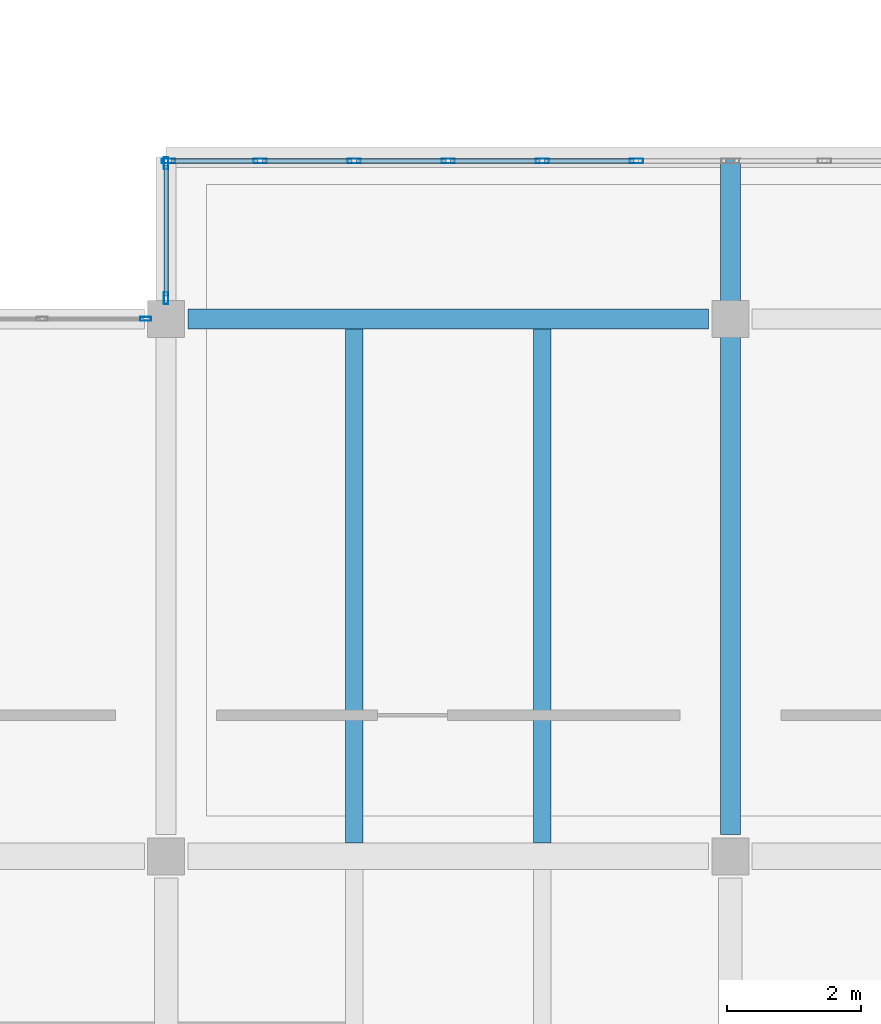
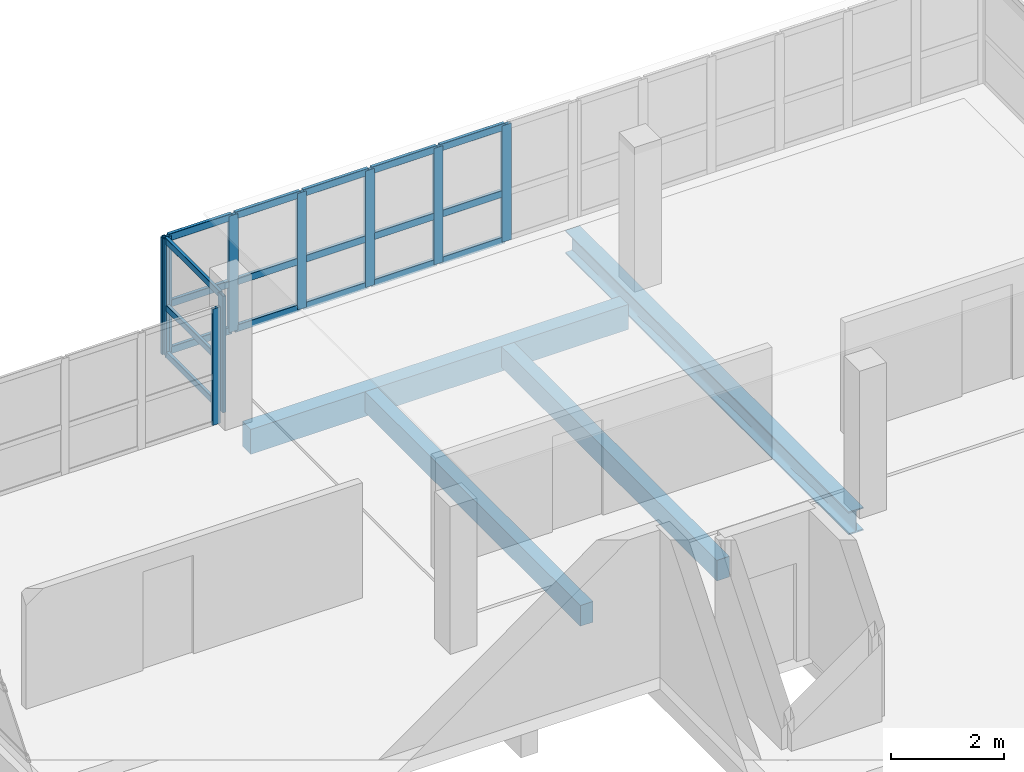
# One storey, part 10 of 24: 27 members, 4 beams, 3 elements without a shape of their own.
"""IFC4 building model written with IfcOpenShell, lengths in metres."""

import ifcopenshell
import ifcopenshell.guid

model = None  # the IFC model being written
_history = None  # IfcOwnerHistory: only IFC2X3 demands one
_inside = {}  # id of a spatial element -> (the spatial element, [elements in it])
_under = {}  # id of a project, library or spatial element -> (it, [spatial elements below it])
_declared = {}  # id of a project -> (the project, [libraries it declares])
_typed = {}  # id of a type object -> (the type object, [elements of that type])
_made_of = {}  # id of a material, layer set ... -> (it, [elements and type objects made of it])


def new_model(schema):
    """Start an empty IFC model of exactly this schema.

    Asked for "IFC4X3", IfcOpenShell would pick the latest addendum, in which some entities
    have other attributes; the version numbers below select the first issue.
    IFC2X3 requires an IfcOwnerHistory on every rooted entity: one is made here for all.
    """
    global model, _history
    if schema == "IFC4X3":
        model = ifcopenshell.file(schema_version=(4, 3, 0, 0))
    else:
        model = ifcopenshell.file(schema=schema)
    _inside.clear()
    _under.clear()
    _declared.clear()
    _typed.clear()
    _made_of.clear()
    _history = None
    if model.schema == "IFC2X3":
        org = make("IfcOrganization", Name="unknown")
        user = make(
            "IfcPersonAndOrganization",
            ThePerson=make("IfcPerson", FamilyName="unknown"),
            TheOrganization=org,
        )
        app = make(
            "IfcApplication",
            ApplicationDeveloper=org,
            Version="unknown",
            ApplicationFullName="unknown",
            ApplicationIdentifier="unknown",
        )
        _history = make(
            "IfcOwnerHistory",
            OwningUser=user,
            OwningApplication=app,
            ChangeAction="ADDED",
            CreationDate=0,
        )
    return model


def make(cls, **values):
    """One entity of the class cls with the attributes given. An attribute that is None is left unset."""
    return model.create_entity(
        cls, **{name: value for name, value in values.items() if value is not None}
    )


def rooted(cls, **values):
    """An entity with a GlobalId (a new one), such as an element, a storey or a relation."""
    return make(cls, GlobalId=ifcopenshell.guid.new(), OwnerHistory=_history, **values)


def si_unit(unit_type, name, prefix=None):
    """IfcSIUnit, for example si_unit("LENGTHUNIT", "METRE", prefix="MILLI")."""
    return make("IfcSIUnit", UnitType=unit_type, Prefix=prefix, Name=name)


def assignment(units):
    """IfcUnitAssignment: the units of a project."""
    return None if units is None else make("IfcUnitAssignment", Units=units)


def point(xyz):
    """IfcCartesianPoint."""
    return None if xyz is None else make("IfcCartesianPoint", Coordinates=xyz)


def direction(xyz):
    """IfcDirection."""
    return None if xyz is None else make("IfcDirection", DirectionRatios=xyz)


def frame(location, z_axis=None, x_axis=None):
    """IfcAxis2Placement3D, a coordinate frame: its origin and axes. An axis left out is left unset."""
    return make(
        "IfcAxis2Placement3D",
        Location=point(location),
        Axis=direction(z_axis),
        RefDirection=direction(x_axis),
    )


def frame_2d(location, x_axis=None):
    """IfcAxis2Placement2D, a coordinate frame in the plane: its origin and x axis."""
    return make(
        "IfcAxis2Placement2D", Location=point(location), RefDirection=direction(x_axis)
    )


def origin():
    """The frame at (0, 0, 0) with its axes left unset."""
    return frame((0.0, 0.0, 0.0))


def origin_2d():
    """The frame at (0, 0) in the plane with its x axis left unset."""
    return frame_2d((0.0, 0.0))


def place(relative_to, where):
    """IfcLocalPlacement: puts the frame where relative to a parent placement (None: the world)."""
    return make(
        "IfcLocalPlacement", PlacementRelTo=relative_to, RelativePlacement=where
    )


def context(
    kind, dimensions, precision=None, world=None, true_north=None, identifier=None
):
    """IfcGeometricRepresentationContext, for example the 3D "Model" context."""
    return make(
        "IfcGeometricRepresentationContext",
        ContextIdentifier=identifier,
        ContextType=kind,
        CoordinateSpaceDimension=dimensions,
        Precision=precision,
        WorldCoordinateSystem=world,
        TrueNorth=true_north,
    )


def subcontext(parent, identifier, kind, view, scale=None):
    """IfcGeometricRepresentationSubContext, for example "Body" below "Model"."""
    return make(
        "IfcGeometricRepresentationSubContext",
        ContextIdentifier=identifier,
        ContextType=kind,
        ParentContext=parent,
        TargetScale=scale,
        TargetView=view,
    )


def project(units=None, contexts=None):
    """IfcProject with its units and contexts."""
    return rooted(
        "IfcProject",
        Name="project",
        RepresentationContexts=contexts,
        UnitsInContext=assignment(units),
    )


def spatial(cls, under=None, at=None, **own):
    """A site, building, storey or space (cls), placed at a placement, below another one or the project."""
    s = rooted(cls, ObjectPlacement=at, **own)
    if under is not None:
        _under.setdefault(under.id(), (under, []))[1].append(s)
    return s


def profile(cls, at=None, kind="AREA", **sizes):
    """A parametric profile (cls). Its sizes go by their IFC names, for example OverallWidth=200.0."""
    return make(cls, ProfileType=kind, Position=at, **sizes)


def rectangle(**sizes):
    """IfcRectangleProfileDef."""
    return profile("IfcRectangleProfileDef", **sizes)


def hollow_rectangle(**sizes):
    """IfcRectangleHollowProfileDef."""
    return profile("IfcRectangleHollowProfileDef", **sizes)


def i_section(**sizes):
    """IfcIShapeProfileDef."""
    return profile("IfcIShapeProfileDef", **sizes)


def extrude(swept, where, along, depth):
    """IfcExtrudedAreaSolid: the profile swept, set in the frame where, extruded along a direction by depth."""
    return make(
        "IfcExtrudedAreaSolid",
        SweptArea=swept,
        Position=where,
        ExtrudedDirection=direction(along),
        Depth=depth,
    )


def shape(context_of_items, identifier, shape_type, items):
    """IfcShapeRepresentation: the items that make up one representation, for example the "Body"."""
    return make(
        "IfcShapeRepresentation",
        ContextOfItems=context_of_items,
        RepresentationIdentifier=identifier,
        RepresentationType=shape_type,
        Items=items,
    )


def material(Name=None, Category=None):
    """IfcMaterial."""
    return make("IfcMaterial", Name=Name, Category=Category)


def layer(
    of_material, thickness, ventilated=None, Name=None, Category=None, Priority=None
):
    """IfcMaterialLayer: one layer of a wall or slab, of a material (None: an air gap)."""
    return make(
        "IfcMaterialLayer",
        Material=of_material,
        LayerThickness=thickness,
        IsVentilated=ventilated,
        Name=Name,
        Category=Category,
        Priority=Priority,
    )


def layer_set(layers, Name=None):
    """IfcMaterialLayerSet."""
    return make("IfcMaterialLayerSet", MaterialLayers=layers, LayerSetName=Name)


def material_profile(
    of_material, cross_section, Name=None, Category=None, Priority=None
):
    """IfcMaterialProfile: a cross section and its material."""
    return make(
        "IfcMaterialProfile",
        Name=Name,
        Material=of_material,
        Profile=cross_section,
        Priority=Priority,
        Category=Category,
    )


def profile_set(profiles, Name=None, composite=None):
    """IfcMaterialProfileSet."""
    return make(
        "IfcMaterialProfileSet",
        Name=Name,
        MaterialProfiles=profiles,
        CompositeProfile=composite,
    )


def made_of(thing, what):
    """Note that an element or type object is made of a material, layer set ...; save() writes the relation."""
    if what is not None:
        _made_of.setdefault(what.id(), (what, []))[1].append(thing)
    return thing


def type_object(cls, material=None, **own):
    """A type object (cls), such as IfcWallType, which elements share."""
    return made_of(rooted(cls, **own), material)


def element(
    cls,
    number,
    at=None,
    inside=None,
    cuts=None,
    type_object=None,
    material=None,
    context=None,
    identifier="Body",
    shape_type=None,
    held_by="IfcProductDefinitionShape",
    body=None,
    shapes=None,
    **own,
):
    """One element of the class cls, such as IfcWall. Its Tag is "e" and its number.

    at: its placement. inside: the storey or other place that contains it. cuts: it is an
    opening in that element (IfcRelVoidsElement). A single representation is given by context,
    identifier, shape_type and body (its items); several are given by shapes. held_by: the class
    of the entity that holds the representations. save() writes the other relations.
    """
    e = rooted(cls, Tag="e%d" % number, ObjectPlacement=at, **own)
    if body is not None:
        shapes = [shape(context, identifier, shape_type, body)]
    if shapes is not None:
        e.Representation = make(held_by, Representations=shapes)
    if inside is not None:
        _inside.setdefault(inside.id(), (inside, []))[1].append(e)
    if cuts is not None:
        rooted(
            "IfcRelVoidsElement", RelatingBuildingElement=cuts, RelatedOpeningElement=e
        )
    if type_object is not None:
        _typed.setdefault(type_object.id(), (type_object, []))[1].append(e)
    return made_of(e, material)


def aggregate(whole, parts):
    """IfcRelAggregates: a whole, such as a stair, and the parts it consists of."""
    return rooted("IfcRelAggregates", RelatingObject=whole, RelatedObjects=parts)


def save(model, path):
    """Write the relations noted so far, then the file.

    IfcRelAggregates (storeys below a building ...), IfcRelContainedInSpatialStructure (elements
    in a storey), IfcRelDefinesByType, IfcRelAssociatesMaterial and IfcRelDeclares: one each for
    every whole, place, type object, material and project.
    """
    for whole, parts in _under.values():
        aggregate(whole, parts)
    for where, things in _inside.values():
        rooted(
            "IfcRelContainedInSpatialStructure",
            RelatedElements=things,
            RelatingStructure=where,
        )
    for kind, things in _typed.values():
        rooted("IfcRelDefinesByType", RelatedObjects=things, RelatingType=kind)
    for what, things in _made_of.values():
        rooted("IfcRelAssociatesMaterial", RelatedObjects=things, RelatingMaterial=what)
    for by, libraries in _declared.values():
        rooted("IfcRelDeclares", RelatingContext=by, RelatedDefinitions=libraries)
    model.write(path)


model = new_model("IFC4")

# Units and contexts
model_context = context("Model", 3, precision=1e-05, world=origin(), true_north=direction((0.0, 1.0)))
body_context = subcontext(model_context, "Body", "Model", "MODEL_VIEW")
ifc_project = project(units=[si_unit("LENGTHUNIT", "METRE"), si_unit("AREAUNIT", "SQUARE_METRE"), si_unit("VOLUMEUNIT", "CUBIC_METRE"), si_unit("PLANEANGLEUNIT", "RADIAN"), si_unit("MASSUNIT", "GRAM", prefix="KILO"), si_unit("THERMODYNAMICTEMPERATUREUNIT", "KELVIN"), si_unit("POWERUNIT", "WATT")], contexts=[model_context])

# Site, building, storey
site_placement = place(None, origin())
site = spatial("IfcSite", under=ifc_project, at=site_placement, CompositionType="ELEMENT")
building_placement = place(site_placement, origin())
building = spatial("IfcBuilding", under=site, at=building_placement, Name="Mavoryth Pier Ferry Terminal", CompositionType="ELEMENT")
storey_placement = place(building_placement, frame((0.0, 0.0, 16.320068359375)))
storey = spatial("IfcBuildingStorey", under=building, at=storey_placement, Name="L04", CompositionType="ELEMENT", Elevation=16.320068359375)

# Beams
ifc_material_1 = material(Name="Steel S355J2", Category="steel")
ifc_material_profile_1 = material_profile(ifc_material_1, i_section(OverallWidth=0.300048828125, OverallDepth=0.5, WebThickness=0.014404296875, FlangeThickness=0.028076171875, FilletRadius=0.027099609375, at=origin_2d()), Name="HEB 500", Category="steel")
ifc_profile_set_1 = profile_set([ifc_material_profile_1], Name="Steel S355J2 - HEB 500")
beam_type_1 = type_object("IfcBeamType", Name="Beam-Steel-HEB500", PredefinedType="BEAM", material=ifc_profile_set_1)
beam_1_placement = place(storey_placement, frame((58.800048828125, 14.324951171875, -0.510009765625), z_axis=(0.0, 1.0, 0.0), x_axis=(-1.0, 0.0, 0.0)))
element("IfcBeam", 1, at=beam_1_placement, inside=storey, type_object=beam_type_1, Name="Beam B04-SB01-1597", PredefinedType="BEAM", context=body_context, shape_type="SweptSolid", body=[
    extrude(i_section(OverallWidth=0.300048828125, OverallDepth=0.5, WebThickness=0.014404296875, FlangeThickness=0.028076171875, FilletRadius=0.027099609375, at=origin_2d()), origin(), (0.0, 0.0, 1.0), 10.074951171875),
])
ifc_material_2 = material(Name="Concrete C35/45", Category="concrete")
ifc_material_profile_2 = material_profile(ifc_material_2, rectangle(XDim=0.260009765625, YDim=0.449951171875, at=origin_2d()), Name="RC 260x450", Category="concrete")
ifc_profile_set_2 = profile_set([ifc_material_profile_2], Name="Concrete C35/45 - RC 260x450")
beam_type_2 = type_object("IfcBeamType", Name="Joist-RC-260x450", PredefinedType="JOIST", material=ifc_profile_set_2)
for number, where, z_axis, x_axis, name in (
    (2, (53.199951171875, 14.199951171875, -0.485107421875), (0.0, 1.0, 0.0), (-1.0, 0.0, 0.0), "Beam B04-BJ03-1500"),
    (3, (56.0, 14.199951171875, -0.485107421875), (0.0, 1.0, 0.0), (-1.0, 0.0, 0.0), "Beam B04-BJ03-1501"),
):
    element("IfcBeam", number, at=place(storey_placement, frame(where, z_axis=z_axis, x_axis=x_axis)), inside=storey, type_object=beam_type_2, Name=name, PredefinedType="JOIST", context=body_context, shape_type="SweptSolid", body=[
        extrude(rectangle(XDim=0.260009765625, YDim=0.449951171875, at=origin_2d()), origin(), (0.0, 0.0, 1.0), 7.650146484375),
    ])

# Curtain wall, member
ifc_material_3 = material(Name="Anodised Aluminium and Solar-Control Low-E Glass", Category="aluminium")
ifc_layer = layer(ifc_material_3, 0.260009765625, Name="Anodised Aluminium and Solar-Control Low-E Glass", Category="aluminium")
ifc_layer_set = layer_set([ifc_layer], Name="Anodised Aluminium and Solar-Control Low-E Glass - CW-VTSBridge-Mod1500")
curtain_wall_type = type_object("IfcCurtainWallType", Name="CW-VTSBridge-Mod1500", PredefinedType="USERDEFINED", material=ifc_layer_set)
curtain_wall_1_placement = place(storey_placement, origin())
curtain_wall_1 = element("IfcCurtainWall", 4, at=curtain_wall_1_placement, inside=storey, type_object=curtain_wall_type, Name="Curtain Wall CW-0422-150", ObjectType="UNITISED CURTAIN WALL", PredefinedType="USERDEFINED")
ifc_material_4 = material(Name="Anodised Aluminium EN AW-6063", Category="aluminium")
ifc_material_profile_3 = material_profile(ifc_material_4, hollow_rectangle(XDim=0.06005859375, YDim=0.1650390625, WallThickness=0.00390625, InnerFilletRadius=0.00390625, OuterFilletRadius=0.008056640625, at=origin_2d()), Name="AL-MULL 165x60x4", Category="aluminium")
ifc_profile_set_3 = profile_set([ifc_material_profile_3], Name="Anodised Aluminium EN AW-6063 - AL-MULL 165x60x4")
member_type_1 = type_object("IfcMemberType", Name="Mullion-Alum-165x60", PredefinedType="MULLION", material=ifc_profile_set_3)
member_1_placement = place(storey_placement, frame((50.094970703125, 22.0, 0.0), z_axis=(0.0, 0.0, 1.0), x_axis=(0.0, -1.0, 0.0)))
member_1 = element("IfcMember", 5, at=member_1_placement, type_object=member_type_1, Name="CW07 mullion 1", PredefinedType="MULLION", context=body_context, shape_type="SweptSolid", body=[
    extrude(hollow_rectangle(XDim=0.06005859375, YDim=0.1650390625, WallThickness=0.00390625, InnerFilletRadius=0.00390625, OuterFilletRadius=0.008056640625, at=origin_2d()), origin(), (0.0, 0.0, 1.0), 2.52490234375),
])
aggregate(curtain_wall_1, [member_1])

# Curtain wall, members
curtain_wall_2_placement = place(storey_placement, origin())
curtain_wall_2 = element("IfcCurtainWall", 6, at=curtain_wall_2_placement, inside=storey, type_object=curtain_wall_type, Name="Curtain Wall CW-0433-157", ObjectType="UNITISED CURTAIN WALL", PredefinedType="USERDEFINED")
ifc_material_profile_4 = material_profile(ifc_material_4, hollow_rectangle(XDim=0.06494140625, YDim=0.179931640625, WallThickness=0.00390625, InnerFilletRadius=0.00390625, OuterFilletRadius=0.008056640625, at=origin_2d()), Name="AL-MULL 180x65x4", Category="aluminium")
ifc_profile_set_4 = profile_set([ifc_material_profile_4], Name="Anodised Aluminium EN AW-6063 - AL-MULL 180x65x4")
member_type_2 = type_object("IfcMemberType", Name="Mullion-Alum-180x65", PredefinedType="MULLION", material=ifc_profile_set_4)
member_2_placement = place(storey_placement, frame((50.39990234375, 24.3173828125, 0.0), z_axis=(0.0, 0.0, 1.0), x_axis=(1.0, 0.0, 0.0)))
member_2 = element("IfcMember", 7, at=member_2_placement, type_object=member_type_2, Name="CW07 mullion 1", PredefinedType="MULLION", context=body_context, shape_type="SweptSolid", body=[
    extrude(hollow_rectangle(XDim=0.06494140625, YDim=0.179931640625, WallThickness=0.00390625, InnerFilletRadius=0.00390625, OuterFilletRadius=0.008056640625, at=origin_2d()), origin(), (0.0, 0.0, 1.0), 2.52490234375),
])
member_3_placement = place(storey_placement, frame((50.39990234375, 22.3076171875, 0.0), z_axis=(0.0, 0.0, 1.0), x_axis=(1.0, 0.0, 0.0)))
member_3 = element("IfcMember", 8, at=member_3_placement, type_object=member_type_2, Name="CW07 mullion 2", PredefinedType="MULLION", context=body_context, shape_type="SweptSolid", body=[
    extrude(hollow_rectangle(XDim=0.06494140625, YDim=0.179931640625, WallThickness=0.00390625, InnerFilletRadius=0.00390625, OuterFilletRadius=0.008056640625, at=origin_2d()), origin(), (0.0, 0.0, 1.0), 2.52490234375),
])

curtain_wall_3_placement = place(storey_placement, origin())
curtain_wall_3 = element("IfcCurtainWall", 9, at=curtain_wall_3_placement, inside=storey, type_object=curtain_wall_type, Name="Curtain Wall CW-0444-152", ObjectType="UNITISED CURTAIN WALL", PredefinedType="USERDEFINED")
ifc_material_profile_5 = material_profile(ifc_material_4, hollow_rectangle(XDim=0.070068359375, YDim=0.199951171875, WallThickness=0.0048828125, InnerFilletRadius=0.0048828125, OuterFilletRadius=0.010009765625, at=origin_2d()), Name="AL-MULL 200x70x5", Category="aluminium")
ifc_profile_set_5 = profile_set([ifc_material_profile_5], Name="Anodised Aluminium EN AW-6063 - AL-MULL 200x70x5")
member_type_3 = type_object("IfcMemberType", Name="Mullion-Alum-200x70", PredefinedType="MULLION", material=ifc_profile_set_5)
member_4_placement = place(storey_placement, frame((57.39990234375, 24.35009765625, 0.0), z_axis=(0.0, 0.0, 1.0), x_axis=(0.0, -1.0, 0.0)))
member_4 = element("IfcMember", 10, at=member_4_placement, type_object=member_type_3, Name="CW07 mullion 2", PredefinedType="MULLION", context=body_context, shape_type="SweptSolid", body=[
    extrude(hollow_rectangle(XDim=0.070068359375, YDim=0.199951171875, WallThickness=0.0048828125, InnerFilletRadius=0.0048828125, OuterFilletRadius=0.010009765625, at=origin_2d()), origin(), (0.0, 0.0, 1.0), 2.52490234375),
])
member_5_placement = place(storey_placement, frame((56.0, 24.35009765625, 0.0), z_axis=(0.0, 0.0, 1.0), x_axis=(0.0, -1.0, 0.0)))
member_5 = element("IfcMember", 11, at=member_5_placement, type_object=member_type_3, Name="CW07 mullion 3", PredefinedType="MULLION", context=body_context, shape_type="SweptSolid", body=[
    extrude(hollow_rectangle(XDim=0.070068359375, YDim=0.199951171875, WallThickness=0.0048828125, InnerFilletRadius=0.0048828125, OuterFilletRadius=0.010009765625, at=origin_2d()), origin(), (0.0, 0.0, 1.0), 2.52490234375),
])
member_6_placement = place(storey_placement, frame((54.60009765625, 24.35009765625, 0.0), z_axis=(0.0, 0.0, 1.0), x_axis=(0.0, -1.0, 0.0)))
member_6 = element("IfcMember", 12, at=member_6_placement, type_object=member_type_3, Name="CW07 mullion 4", PredefinedType="MULLION", context=body_context, shape_type="SweptSolid", body=[
    extrude(hollow_rectangle(XDim=0.070068359375, YDim=0.199951171875, WallThickness=0.0048828125, InnerFilletRadius=0.0048828125, OuterFilletRadius=0.010009765625, at=origin_2d()), origin(), (0.0, 0.0, 1.0), 2.52490234375),
])
member_7_placement = place(storey_placement, frame((53.199951171875, 24.35009765625, 0.0), z_axis=(0.0, 0.0, 1.0), x_axis=(0.0, -1.0, 0.0)))
member_7 = element("IfcMember", 13, at=member_7_placement, type_object=member_type_3, Name="CW07 mullion 5", PredefinedType="MULLION", context=body_context, shape_type="SweptSolid", body=[
    extrude(hollow_rectangle(XDim=0.070068359375, YDim=0.199951171875, WallThickness=0.0048828125, InnerFilletRadius=0.0048828125, OuterFilletRadius=0.010009765625, at=origin_2d()), origin(), (0.0, 0.0, 1.0), 2.52490234375),
])
member_8_placement = place(storey_placement, frame((51.800048828125, 24.35009765625, 0.0), z_axis=(0.0, 0.0, 1.0), x_axis=(0.0, -1.0, 0.0)))
member_8 = element("IfcMember", 14, at=member_8_placement, type_object=member_type_3, Name="CW07 mullion 6", PredefinedType="MULLION", context=body_context, shape_type="SweptSolid", body=[
    extrude(hollow_rectangle(XDim=0.070068359375, YDim=0.199951171875, WallThickness=0.0048828125, InnerFilletRadius=0.0048828125, OuterFilletRadius=0.010009765625, at=origin_2d()), origin(), (0.0, 0.0, 1.0), 2.52490234375),
])
member_9_placement = place(storey_placement, frame((50.43505859375, 24.35009765625, 0.0), z_axis=(0.0, 0.0, 1.0), x_axis=(0.0, -1.0, 0.0)))
member_9 = element("IfcMember", 15, at=member_9_placement, type_object=member_type_3, Name="CW07 mullion 7", PredefinedType="MULLION", context=body_context, shape_type="SweptSolid", body=[
    extrude(hollow_rectangle(XDim=0.070068359375, YDim=0.199951171875, WallThickness=0.0048828125, InnerFilletRadius=0.0048828125, OuterFilletRadius=0.010009765625, at=origin_2d()), origin(), (0.0, 0.0, 1.0), 2.52490234375),
])

# Beam
ifc_material_profile_6 = material_profile(ifc_material_2, rectangle(XDim=0.300048828125, YDim=0.5400390625, at=origin_2d()), Name="RC 300x540", Category="concrete")
ifc_profile_set_6 = profile_set([ifc_material_profile_6], Name="Concrete C35/45 - RC 300x540")
beam_type_3 = type_object("IfcBeamType", Name="Spandrel-RC-300x540", PredefinedType="SPANDREL", material=ifc_profile_set_6)
beam_2_placement = place(storey_placement, frame((50.72509765625, 22.0, -0.530029296875), z_axis=(1.0, 0.0, 0.0), x_axis=(0.0, 1.0, 0.0)))
element("IfcBeam", 16, at=beam_2_placement, inside=storey, type_object=beam_type_3, Name="Beam B04-SP02-1473", PredefinedType="SPANDREL", context=body_context, shape_type="SweptSolid", body=[
    extrude(rectangle(XDim=0.300048828125, YDim=0.5400390625, at=origin_2d()), origin(), (0.0, 0.0, 1.0), 7.75),
])

# Member
ifc_material_profile_7 = material_profile(ifc_material_4, hollow_rectangle(XDim=0.06494140625, YDim=0.139892578125, WallThickness=0.00390625, InnerFilletRadius=0.00390625, OuterFilletRadius=0.008056640625, at=origin_2d()), Name="AL-TRAN 140x65x4", Category="aluminium")
ifc_profile_set_7 = profile_set([ifc_material_profile_7], Name="Anodised Aluminium EN AW-6063 - AL-TRAN 140x65x4")
member_type_4 = type_object("IfcMemberType", Name="Transom-Alum-140x65", PredefinedType="USERDEFINED", material=ifc_profile_set_7)
member_10_placement = place(storey_placement, frame((50.39990234375, 24.284912109375, 0.032470703125), z_axis=(0.0, -1.0, 0.0), x_axis=(1.0, 0.0, 0.0)))
member_10 = element("IfcMember", 17, at=member_10_placement, type_object=member_type_4, Name="CW07 transom 1.1", ObjectType="TRANSOM", PredefinedType="USERDEFINED", context=body_context, shape_type="SweptSolid", body=[
    extrude(hollow_rectangle(XDim=0.06494140625, YDim=0.139892578125, WallThickness=0.00390625, InnerFilletRadius=0.00390625, OuterFilletRadius=0.008056640625, at=origin_2d()), origin(), (0.0, 0.0, 1.0), 1.94482421875),
])

member_11_placement = place(storey_placement, frame((50.39990234375, 24.284912109375, 1.050048828125), z_axis=(0.0, -1.0, 0.0), x_axis=(1.0, 0.0, 0.0)))
member_11 = element("IfcMember", 18, at=member_11_placement, type_object=member_type_4, Name="CW07 transom 1.2", ObjectType="TRANSOM", PredefinedType="USERDEFINED", context=body_context, shape_type="SweptSolid", body=[
    extrude(hollow_rectangle(XDim=0.06494140625, YDim=0.139892578125, WallThickness=0.00390625, InnerFilletRadius=0.00390625, OuterFilletRadius=0.008056640625, at=origin_2d()), origin(), (0.0, 0.0, 1.0), 1.94482421875),
])

member_12_placement = place(storey_placement, frame((50.39990234375, 24.284912109375, 2.492431640625), z_axis=(0.0, -1.0, 0.0), x_axis=(1.0, 0.0, 0.0)))
member_12 = element("IfcMember", 19, at=member_12_placement, type_object=member_type_4, Name="CW07 transom 1.3", ObjectType="TRANSOM", PredefinedType="USERDEFINED", context=body_context, shape_type="SweptSolid", body=[
    extrude(hollow_rectangle(XDim=0.06494140625, YDim=0.139892578125, WallThickness=0.00390625, InnerFilletRadius=0.00390625, OuterFilletRadius=0.008056640625, at=origin_2d()), origin(), (0.0, 0.0, 1.0), 1.94482421875),
])

aggregate(curtain_wall_2, [member_2, member_3, member_10, member_11, member_12])

ifc_material_profile_8 = material_profile(ifc_material_4, hollow_rectangle(XDim=0.070068359375, YDim=0.155029296875, WallThickness=0.00390625, InnerFilletRadius=0.00390625, OuterFilletRadius=0.008056640625, at=origin_2d()), Name="AL-TRAN 155x70x4", Category="aluminium")
ifc_profile_set_8 = profile_set([ifc_material_profile_8], Name="Anodised Aluminium EN AW-6063 - AL-TRAN 155x70x4")
member_type_5 = type_object("IfcMemberType", Name="Transom-Alum-155x70", PredefinedType="USERDEFINED", material=ifc_profile_set_8)
member_13_placement = place(storey_placement, frame((57.364990234375, 24.35009765625, 0.034912109375), z_axis=(-1.0, 0.0, 0.0), x_axis=(0.0, -1.0, 0.0)))
member_13 = element("IfcMember", 20, at=member_13_placement, type_object=member_type_5, Name="CW07 transom 2.1", ObjectType="TRANSOM", PredefinedType="USERDEFINED", context=body_context, shape_type="SweptSolid", body=[
    extrude(hollow_rectangle(XDim=0.070068359375, YDim=0.155029296875, WallThickness=0.00390625, InnerFilletRadius=0.00390625, OuterFilletRadius=0.008056640625, at=origin_2d()), origin(), (0.0, 0.0, 1.0), 1.330078125),
])

member_14_placement = place(storey_placement, frame((57.364990234375, 24.35009765625, 1.050048828125), z_axis=(-1.0, 0.0, 0.0), x_axis=(0.0, -1.0, 0.0)))
member_14 = element("IfcMember", 21, at=member_14_placement, type_object=member_type_5, Name="CW07 transom 2.2", ObjectType="TRANSOM", PredefinedType="USERDEFINED", context=body_context, shape_type="SweptSolid", body=[
    extrude(hollow_rectangle(XDim=0.070068359375, YDim=0.155029296875, WallThickness=0.00390625, InnerFilletRadius=0.00390625, OuterFilletRadius=0.008056640625, at=origin_2d()), origin(), (0.0, 0.0, 1.0), 1.330078125),
])

member_15_placement = place(storey_placement, frame((57.364990234375, 24.35009765625, 2.489990234375), z_axis=(-1.0, 0.0, 0.0), x_axis=(0.0, -1.0, 0.0)))
member_15 = element("IfcMember", 22, at=member_15_placement, type_object=member_type_5, Name="CW07 transom 2.3", ObjectType="TRANSOM", PredefinedType="USERDEFINED", context=body_context, shape_type="SweptSolid", body=[
    extrude(hollow_rectangle(XDim=0.070068359375, YDim=0.155029296875, WallThickness=0.00390625, InnerFilletRadius=0.00390625, OuterFilletRadius=0.008056640625, at=origin_2d()), origin(), (0.0, 0.0, 1.0), 1.330078125),
])

member_16_placement = place(storey_placement, frame((55.965087890625, 24.35009765625, 0.034912109375), z_axis=(-1.0, 0.0, 0.0), x_axis=(0.0, -1.0, 0.0)))
member_16 = element("IfcMember", 23, at=member_16_placement, type_object=member_type_5, Name="CW07 transom 3.1", ObjectType="TRANSOM", PredefinedType="USERDEFINED", context=body_context, shape_type="SweptSolid", body=[
    extrude(hollow_rectangle(XDim=0.070068359375, YDim=0.155029296875, WallThickness=0.00390625, InnerFilletRadius=0.00390625, OuterFilletRadius=0.008056640625, at=origin_2d()), origin(), (0.0, 0.0, 1.0), 1.330078125),
])

member_17_placement = place(storey_placement, frame((55.965087890625, 24.35009765625, 1.050048828125), z_axis=(-1.0, 0.0, 0.0), x_axis=(0.0, -1.0, 0.0)))
member_17 = element("IfcMember", 24, at=member_17_placement, type_object=member_type_5, Name="CW07 transom 3.2", ObjectType="TRANSOM", PredefinedType="USERDEFINED", context=body_context, shape_type="SweptSolid", body=[
    extrude(hollow_rectangle(XDim=0.070068359375, YDim=0.155029296875, WallThickness=0.00390625, InnerFilletRadius=0.00390625, OuterFilletRadius=0.008056640625, at=origin_2d()), origin(), (0.0, 0.0, 1.0), 1.330078125),
])

member_18_placement = place(storey_placement, frame((55.965087890625, 24.35009765625, 2.489990234375), z_axis=(-1.0, 0.0, 0.0), x_axis=(0.0, -1.0, 0.0)))
member_18 = element("IfcMember", 25, at=member_18_placement, type_object=member_type_5, Name="CW07 transom 3.3", ObjectType="TRANSOM", PredefinedType="USERDEFINED", context=body_context, shape_type="SweptSolid", body=[
    extrude(hollow_rectangle(XDim=0.070068359375, YDim=0.155029296875, WallThickness=0.00390625, InnerFilletRadius=0.00390625, OuterFilletRadius=0.008056640625, at=origin_2d()), origin(), (0.0, 0.0, 1.0), 1.330078125),
])

member_19_placement = place(storey_placement, frame((54.56494140625, 24.35009765625, 0.034912109375), z_axis=(-1.0, 0.0, 0.0), x_axis=(0.0, -1.0, 0.0)))
member_19 = element("IfcMember", 26, at=member_19_placement, type_object=member_type_5, Name="CW07 transom 4.1", ObjectType="TRANSOM", PredefinedType="USERDEFINED", context=body_context, shape_type="SweptSolid", body=[
    extrude(hollow_rectangle(XDim=0.070068359375, YDim=0.155029296875, WallThickness=0.00390625, InnerFilletRadius=0.00390625, OuterFilletRadius=0.008056640625, at=origin_2d()), origin(), (0.0, 0.0, 1.0), 1.329833984375),
])

member_20_placement = place(storey_placement, frame((54.56494140625, 24.35009765625, 1.050048828125), z_axis=(-1.0, 0.0, 0.0), x_axis=(0.0, -1.0, 0.0)))
member_20 = element("IfcMember", 27, at=member_20_placement, type_object=member_type_5, Name="CW07 transom 4.2", ObjectType="TRANSOM", PredefinedType="USERDEFINED", context=body_context, shape_type="SweptSolid", body=[
    extrude(hollow_rectangle(XDim=0.070068359375, YDim=0.155029296875, WallThickness=0.00390625, InnerFilletRadius=0.00390625, OuterFilletRadius=0.008056640625, at=origin_2d()), origin(), (0.0, 0.0, 1.0), 1.329833984375),
])

member_21_placement = place(storey_placement, frame((54.56494140625, 24.35009765625, 2.489990234375), z_axis=(-1.0, 0.0, 0.0), x_axis=(0.0, -1.0, 0.0)))
member_21 = element("IfcMember", 28, at=member_21_placement, type_object=member_type_5, Name="CW07 transom 4.3", ObjectType="TRANSOM", PredefinedType="USERDEFINED", context=body_context, shape_type="SweptSolid", body=[
    extrude(hollow_rectangle(XDim=0.070068359375, YDim=0.155029296875, WallThickness=0.00390625, InnerFilletRadius=0.00390625, OuterFilletRadius=0.008056640625, at=origin_2d()), origin(), (0.0, 0.0, 1.0), 1.329833984375),
])

member_22_placement = place(storey_placement, frame((53.1650390625, 24.35009765625, 0.034912109375), z_axis=(-1.0, 0.0, 0.0), x_axis=(0.0, -1.0, 0.0)))
member_22 = element("IfcMember", 29, at=member_22_placement, type_object=member_type_5, Name="CW07 transom 5.1", ObjectType="TRANSOM", PredefinedType="USERDEFINED", context=body_context, shape_type="SweptSolid", body=[
    extrude(hollow_rectangle(XDim=0.070068359375, YDim=0.155029296875, WallThickness=0.00390625, InnerFilletRadius=0.00390625, OuterFilletRadius=0.008056640625, at=origin_2d()), origin(), (0.0, 0.0, 1.0), 1.330078125),
])

member_23_placement = place(storey_placement, frame((53.1650390625, 24.35009765625, 1.050048828125), z_axis=(-1.0, 0.0, 0.0), x_axis=(0.0, -1.0, 0.0)))
member_23 = element("IfcMember", 30, at=member_23_placement, type_object=member_type_5, Name="CW07 transom 5.2", ObjectType="TRANSOM", PredefinedType="USERDEFINED", context=body_context, shape_type="SweptSolid", body=[
    extrude(hollow_rectangle(XDim=0.070068359375, YDim=0.155029296875, WallThickness=0.00390625, InnerFilletRadius=0.00390625, OuterFilletRadius=0.008056640625, at=origin_2d()), origin(), (0.0, 0.0, 1.0), 1.330078125),
])

member_24_placement = place(storey_placement, frame((53.1650390625, 24.35009765625, 2.489990234375), z_axis=(-1.0, 0.0, 0.0), x_axis=(0.0, -1.0, 0.0)))
member_24 = element("IfcMember", 31, at=member_24_placement, type_object=member_type_5, Name="CW07 transom 5.3", ObjectType="TRANSOM", PredefinedType="USERDEFINED", context=body_context, shape_type="SweptSolid", body=[
    extrude(hollow_rectangle(XDim=0.070068359375, YDim=0.155029296875, WallThickness=0.00390625, InnerFilletRadius=0.00390625, OuterFilletRadius=0.008056640625, at=origin_2d()), origin(), (0.0, 0.0, 1.0), 1.330078125),
])

member_25_placement = place(storey_placement, frame((51.764892578125, 24.35009765625, 0.034912109375), z_axis=(-1.0, 0.0, 0.0), x_axis=(0.0, -1.0, 0.0)))
member_25 = element("IfcMember", 32, at=member_25_placement, type_object=member_type_5, Name="CW07 transom 6.1", ObjectType="TRANSOM", PredefinedType="USERDEFINED", context=body_context, shape_type="SweptSolid", body=[
    extrude(hollow_rectangle(XDim=0.070068359375, YDim=0.155029296875, WallThickness=0.00390625, InnerFilletRadius=0.00390625, OuterFilletRadius=0.008056640625, at=origin_2d()), origin(), (0.0, 0.0, 1.0), 1.294921875),
])

member_26_placement = place(storey_placement, frame((51.764892578125, 24.35009765625, 1.050048828125), z_axis=(-1.0, 0.0, 0.0), x_axis=(0.0, -1.0, 0.0)))
member_26 = element("IfcMember", 33, at=member_26_placement, type_object=member_type_5, Name="CW07 transom 6.2", ObjectType="TRANSOM", PredefinedType="USERDEFINED", context=body_context, shape_type="SweptSolid", body=[
    extrude(hollow_rectangle(XDim=0.070068359375, YDim=0.155029296875, WallThickness=0.00390625, InnerFilletRadius=0.00390625, OuterFilletRadius=0.008056640625, at=origin_2d()), origin(), (0.0, 0.0, 1.0), 1.294921875),
])

member_27_placement = place(storey_placement, frame((51.764892578125, 24.35009765625, 2.489990234375), z_axis=(-1.0, 0.0, 0.0), x_axis=(0.0, -1.0, 0.0)))
member_27 = element("IfcMember", 34, at=member_27_placement, type_object=member_type_5, Name="CW07 transom 6.3", ObjectType="TRANSOM", PredefinedType="USERDEFINED", context=body_context, shape_type="SweptSolid", body=[
    extrude(hollow_rectangle(XDim=0.070068359375, YDim=0.155029296875, WallThickness=0.00390625, InnerFilletRadius=0.00390625, OuterFilletRadius=0.008056640625, at=origin_2d()), origin(), (0.0, 0.0, 1.0), 1.294921875),
])

aggregate(curtain_wall_3, [member_4, member_5, member_6, member_7, member_8, member_9, member_13, member_14, member_15, member_16, member_17, member_18, member_19, member_20, member_21, member_22, member_23, member_24, member_25, member_26, member_27])

save(model, "model.ifc")
